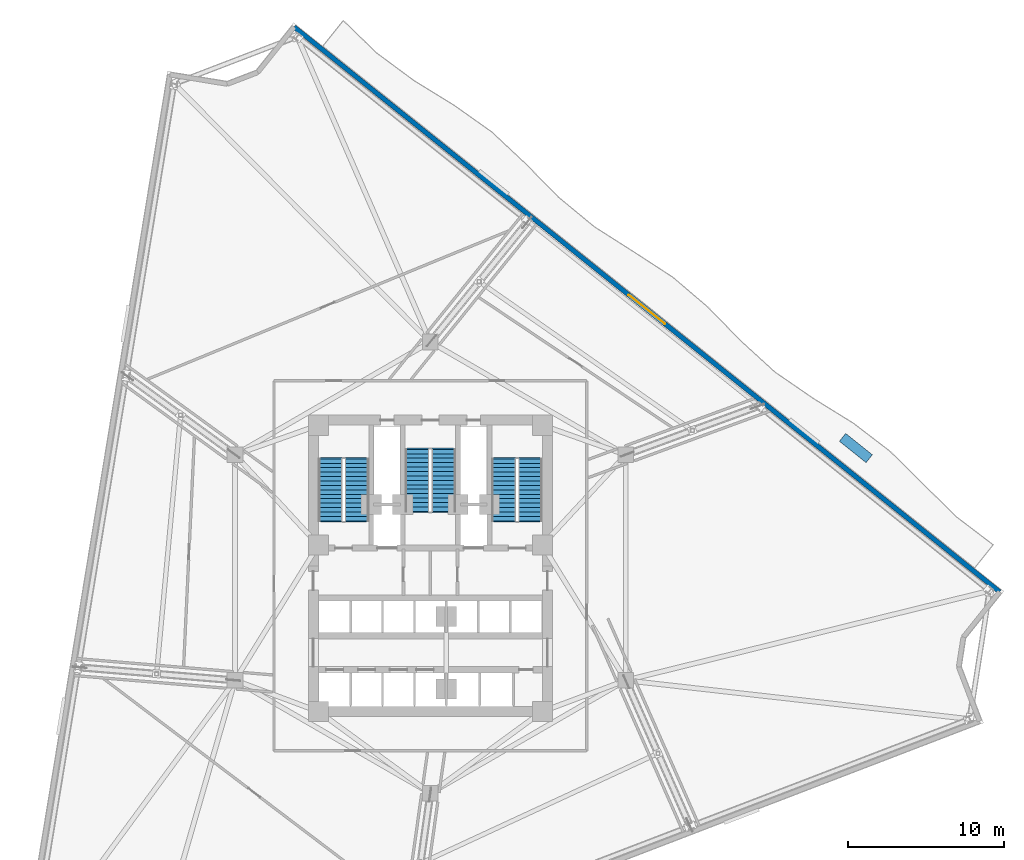
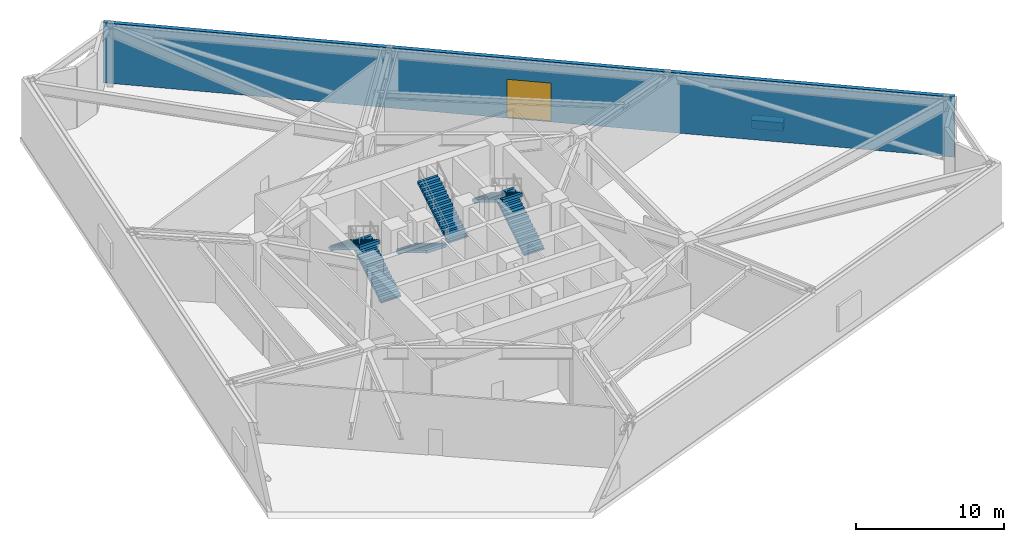
# One storey, part 15 of 18: 6 stair flights, 1 discrete accessory, 1 door, 1 wall, 1 opening, 3 elements without a shape of their own.
"""IFC4 building model written with IfcOpenShell, lengths in metres."""

from ifc_helpers import new_model, si_unit, direction, frame, frame_2d, origin, origin_2d, place, context, subcontext, project, spatial, polyline, rectangle, outline, extrude, material, layer, layer_set, type_object, element, fill, aggregate, save


model = new_model("IFC4")

# Units and contexts
model_context = context("Model", 3, precision=1e-05, world=origin(), true_north=direction((0.0, 1.0)))
body_context = subcontext(model_context, "Body", "Model", "MODEL_VIEW")
ifc_project = project(units=[si_unit("LENGTHUNIT", "METRE"), si_unit("AREAUNIT", "SQUARE_METRE"), si_unit("VOLUMEUNIT", "CUBIC_METRE"), si_unit("PLANEANGLEUNIT", "RADIAN"), si_unit("MASSUNIT", "GRAM", prefix="KILO")], contexts=[model_context])

# Site, building, storey
site_placement = place(None, origin())
site = spatial("IfcSite", under=ifc_project, at=site_placement, CompositionType="ELEMENT")
building_placement = place(site_placement, origin())
building = spatial("IfcBuilding", under=site, at=building_placement, Name="Apsidion Concourse Tower", CompositionType="ELEMENT")
storey_placement = place(building_placement, frame((0.0, 0.0, 127.0)))
storey = spatial("IfcBuildingStorey", under=building, at=storey_placement, Name="L29", CompositionType="ELEMENT", Elevation=127.0)

# Wall, opening, door
ifc_material_1 = material(Name="Precast concrete C40/50", Category="concrete")
ifc_layer = layer(ifc_material_1, 0.300048828125)
ifc_layer_set = layer_set([ifc_layer], Name="Precast concrete C40/50")
wall_type = type_object("IfcWallType", Name="WL-EXT-300", PredefinedType="STANDARD", material=ifc_layer_set)
wall_placement = place(storey_placement, frame((-8.76171875, 34.748291015625, 0.0), z_axis=(0.0, 0.0, 1.0), x_axis=(0.780669916438, -0.624943582708, 0.0)))
wall = element("IfcWall", 1, at=wall_placement, inside=storey, type_object=wall_type, Name="L29 Precast Stone Facade Wall 01", PredefinedType="STANDARD", context=body_context, shape_type="SweptSolid", body=[
    extrude(rectangle(XDim=58.093017578125, YDim=0.300048828125, at=frame_2d((29.04638671875, 0.0))), origin(), (0.0, 0.0, 1.0), 4.949951171875),
])
opening_placement = place(wall_placement, frame((27.546630859375, 0.0, 0.0)))
opening = element("IfcOpeningElement", 2, at=opening_placement, cuts=wall, Name="Opening D-SG1", PredefinedType="OPENING", context=body_context, shape_type="SweptSolid", body=[
    extrude(rectangle(XDim=3.0, YDim=3.199951171875, at=frame_2d((1.5, 1.60009765625))), frame((0.0, 0.16015625, 0.0), z_axis=(0.0, -1.0, 0.0), x_axis=(1.0, 0.0, 0.0)), (0.0, 0.0, 1.0), 0.320068359375),
])
ifc_material_2 = material(Name="Brushed stainless steel 316", Category="steel")
door_type = type_object("IfcDoorType", Name="DR-GATE-3032", OperationType="ROLLINGUP", PredefinedType="GATE", material=ifc_material_2)
door_placement = place(opening_placement, origin())
door = element("IfcDoor", 3, at=door_placement, inside=storey, type_object=door_type, Name="L29 Plant Deck Access Gate 1", OperationType="ROLLINGUP", OverallHeight=3.199951171875, OverallWidth=3.0, PredefinedType="GATE", context=body_context, shape_type="SweptSolid", body=[
    extrude(rectangle(XDim=3.0, YDim=3.199951171875, at=frame_2d((1.5, 1.60009765625))), frame((0.0, 0.02490234375, 0.0), z_axis=(0.0, -1.0, 0.0), x_axis=(1.0, 0.0, 0.0)), (0.0, 0.0, 1.0), 0.050048828125),
])
fill(opening, door)

# Stair, stair flights
stair_type = type_object("IfcStairType", Name="ST-DL-1550", PredefinedType="HALF_TURN_STAIR", material=ifc_material_1)
stair_1_placement = place(storey_placement, origin())
stair_1 = element("IfcStair", 4, at=stair_1_placement, inside=storey, type_object=stair_type, Name="L29 Protected Core Exit Stair ST1", PredefinedType="HALF_TURN_STAIR")
stair_flight_type = type_object("IfcStairFlightType", Name="SFL-RC-1550", PredefinedType="STRAIGHT", material=ifc_material_1)
stair_flight_1_placement = place(storey_placement, frame((-4.72509765625, 3.0, 0.0), z_axis=(0.0, 0.0, 1.0), x_axis=(0.0, 1.0, 0.0)))
stair_flight_1 = element("IfcStairFlight", 5, at=stair_flight_1_placement, type_object=stair_flight_type, Name="ST1 flight 1", NumberOfRisers=15, NumberOfTreads=14, PredefinedType="STRAIGHT", RiserHeight=0.173333333, TreadLength=0.285, context=body_context, shape_type="SweptSolid", body=[
    extrude(outline(polyline([(-0.080078125, -0.1123046875), (-0.080078125, 0.0), (0.0, 0.0), (0.0, 0.17333984375), (0.284912109375, 0.17333984375), (0.284912109375, 0.3466796875), (0.570068359375, 0.3466796875), (0.570068359375, 0.52001953125), (0.85498046875, 0.52001953125), (0.85498046875, 0.693359375), (1.139892578125, 0.693359375), (1.139892578125, 0.86669921875), (1.425048828125, 0.86669921875), (1.425048828125, 1.0400390625), (1.7099609375, 1.0400390625), (1.7099609375, 1.21337890625), (1.9951171875, 1.21337890625), (1.9951171875, 1.38671875), (2.280029296875, 1.38671875), (2.280029296875, 1.56005859375), (2.56494140625, 1.56005859375), (2.56494140625, 1.7333984375), (2.85009765625, 1.7333984375), (2.85009765625, 1.90673828125), (3.135009765625, 1.90673828125), (3.135009765625, 2.080078125), (3.419921875, 2.080078125), (3.419921875, 2.25341796875), (3.705078125, 2.25341796875), (3.705078125, 2.4267578125), (3.989990234375, 2.4267578125), (3.989990234375, 2.60009765625), (4.070068359375, 2.513427734375), (4.070068359375, 2.251220703125), (3.989990234375, 2.251220703125), (0.28857421875, 0.0), (0.28857421875, -0.1123046875), (-0.080078125, -0.1123046875)])), frame((0.0, 0.77490234375, 0.0), z_axis=(0.0, -1.0, 0.0), x_axis=(1.0, 0.0, 0.0)), (0.0, 0.0, 1.0), 1.550048828125),
])
stair_flight_2_placement = place(storey_placement, frame((-6.425048828125, 6.989990234375, 2.60009765625), z_axis=(0.0, 0.0, 1.0), x_axis=(0.0, -1.0, 0.0)))
stair_flight_2 = element("IfcStairFlight", 6, at=stair_flight_2_placement, type_object=stair_flight_type, Name="ST1 flight 2", NumberOfRisers=15, NumberOfTreads=14, PredefinedType="STRAIGHT", RiserHeight=0.173333333, TreadLength=0.285, context=body_context, shape_type="SweptSolid", body=[
    extrude(outline(polyline([(-0.080078125, -0.1123046875), (-0.080078125, 0.0), (0.0, 0.0), (0.0, 0.17333984375), (0.284912109375, 0.17333984375), (0.284912109375, 0.3466796875), (0.570068359375, 0.3466796875), (0.570068359375, 0.52001953125), (0.85498046875, 0.52001953125), (0.85498046875, 0.693359375), (1.139892578125, 0.693359375), (1.139892578125, 0.86669921875), (1.425048828125, 0.86669921875), (1.425048828125, 1.0400390625), (1.7099609375, 1.0400390625), (1.7099609375, 1.21337890625), (1.9951171875, 1.21337890625), (1.9951171875, 1.38671875), (2.280029296875, 1.38671875), (2.280029296875, 1.56005859375), (2.56494140625, 1.56005859375), (2.56494140625, 1.7333984375), (2.85009765625, 1.7333984375), (2.85009765625, 1.90673828125), (3.135009765625, 1.90673828125), (3.135009765625, 2.080078125), (3.419921875, 2.080078125), (3.419921875, 2.25341796875), (3.705078125, 2.25341796875), (3.705078125, 2.4267578125), (3.989990234375, 2.4267578125), (3.989990234375, 2.60009765625), (4.070068359375, 2.513427734375), (4.070068359375, 2.251220703125), (3.989990234375, 2.251220703125), (0.28857421875, 0.0), (0.28857421875, -0.1123046875), (-0.080078125, -0.1123046875)])), frame((0.0, 0.77490234375, 0.0), z_axis=(0.0, -1.0, 0.0), x_axis=(1.0, 0.0, 0.0)), (0.0, 0.0, 1.0), 1.550048828125),
])
aggregate(stair_1, [stair_flight_1, stair_flight_2])

stair_2_placement = place(storey_placement, origin())
stair_2 = element("IfcStair", 7, at=stair_2_placement, inside=storey, type_object=stair_type, Name="L29 Protected Core Exit Stair ST2", PredefinedType="HALF_TURN_STAIR")
stair_flight_3_placement = place(storey_placement, frame((6.425048828125, 3.0, 0.0), z_axis=(0.0, 0.0, 1.0), x_axis=(0.0, 1.0, 0.0)))
stair_flight_3 = element("IfcStairFlight", 8, at=stair_flight_3_placement, type_object=stair_flight_type, Name="ST2 flight 1", NumberOfRisers=15, NumberOfTreads=14, PredefinedType="STRAIGHT", RiserHeight=0.173333333, TreadLength=0.285, context=body_context, shape_type="SweptSolid", body=[
    extrude(outline(polyline([(-0.080078125, -0.1123046875), (-0.080078125, 0.0), (0.0, 0.0), (0.0, 0.17333984375), (0.284912109375, 0.17333984375), (0.284912109375, 0.3466796875), (0.570068359375, 0.3466796875), (0.570068359375, 0.52001953125), (0.85498046875, 0.52001953125), (0.85498046875, 0.693359375), (1.139892578125, 0.693359375), (1.139892578125, 0.86669921875), (1.425048828125, 0.86669921875), (1.425048828125, 1.0400390625), (1.7099609375, 1.0400390625), (1.7099609375, 1.21337890625), (1.9951171875, 1.21337890625), (1.9951171875, 1.38671875), (2.280029296875, 1.38671875), (2.280029296875, 1.56005859375), (2.56494140625, 1.56005859375), (2.56494140625, 1.7333984375), (2.85009765625, 1.7333984375), (2.85009765625, 1.90673828125), (3.135009765625, 1.90673828125), (3.135009765625, 2.080078125), (3.419921875, 2.080078125), (3.419921875, 2.25341796875), (3.705078125, 2.25341796875), (3.705078125, 2.4267578125), (3.989990234375, 2.4267578125), (3.989990234375, 2.60009765625), (4.070068359375, 2.513427734375), (4.070068359375, 2.251220703125), (3.989990234375, 2.251220703125), (0.28857421875, 0.0), (0.28857421875, -0.1123046875), (-0.080078125, -0.1123046875)])), frame((0.0, 0.77490234375, 0.0), z_axis=(0.0, -1.0, 0.0), x_axis=(1.0, 0.0, 0.0)), (0.0, 0.0, 1.0), 1.550048828125),
])
stair_flight_4_placement = place(storey_placement, frame((4.72509765625, 6.989990234375, 2.60009765625), z_axis=(0.0, 0.0, 1.0), x_axis=(0.0, -1.0, 0.0)))
stair_flight_4 = element("IfcStairFlight", 9, at=stair_flight_4_placement, type_object=stair_flight_type, Name="ST2 flight 2", NumberOfRisers=15, NumberOfTreads=14, PredefinedType="STRAIGHT", RiserHeight=0.173333333, TreadLength=0.285, context=body_context, shape_type="SweptSolid", body=[
    extrude(outline(polyline([(-0.080078125, -0.1123046875), (-0.080078125, 0.0), (0.0, 0.0), (0.0, 0.17333984375), (0.284912109375, 0.17333984375), (0.284912109375, 0.3466796875), (0.570068359375, 0.3466796875), (0.570068359375, 0.52001953125), (0.85498046875, 0.52001953125), (0.85498046875, 0.693359375), (1.139892578125, 0.693359375), (1.139892578125, 0.86669921875), (1.425048828125, 0.86669921875), (1.425048828125, 1.0400390625), (1.7099609375, 1.0400390625), (1.7099609375, 1.21337890625), (1.9951171875, 1.21337890625), (1.9951171875, 1.38671875), (2.280029296875, 1.38671875), (2.280029296875, 1.56005859375), (2.56494140625, 1.56005859375), (2.56494140625, 1.7333984375), (2.85009765625, 1.7333984375), (2.85009765625, 1.90673828125), (3.135009765625, 1.90673828125), (3.135009765625, 2.080078125), (3.419921875, 2.080078125), (3.419921875, 2.25341796875), (3.705078125, 2.25341796875), (3.705078125, 2.4267578125), (3.989990234375, 2.4267578125), (3.989990234375, 2.60009765625), (4.070068359375, 2.513427734375), (4.070068359375, 2.251220703125), (3.989990234375, 2.251220703125), (0.28857421875, 0.0), (0.28857421875, -0.1123046875), (-0.080078125, -0.1123046875)])), frame((0.0, 0.77490234375, 0.0), z_axis=(0.0, -1.0, 0.0), x_axis=(1.0, 0.0, 0.0)), (0.0, 0.0, 1.0), 1.550048828125),
])
aggregate(stair_2, [stair_flight_3, stair_flight_4])

stair_3_placement = place(storey_placement, origin())
stair_3 = element("IfcStair", 10, at=stair_3_placement, inside=storey, type_object=stair_type, Name="L29 Protected Core Exit Stair ST3", PredefinedType="HALF_TURN_STAIR")
stair_flight_5_placement = place(storey_placement, frame((-0.85009765625, 7.60009765625, 0.0), z_axis=(0.0, 0.0, 1.0), x_axis=(0.0, -1.0, 0.0)))
stair_flight_5 = element("IfcStairFlight", 11, at=stair_flight_5_placement, type_object=stair_flight_type, Name="ST3 flight 1", NumberOfRisers=15, NumberOfTreads=14, PredefinedType="STRAIGHT", RiserHeight=0.173333333, TreadLength=0.285, context=body_context, shape_type="SweptSolid", body=[
    extrude(outline(polyline([(-0.080078125, -0.1123046875), (-0.080078125, 0.0), (0.0, 0.0), (0.0, 0.17333984375), (0.284912109375, 0.17333984375), (0.284912109375, 0.3466796875), (0.570068359375, 0.3466796875), (0.570068359375, 0.52001953125), (0.85498046875, 0.52001953125), (0.85498046875, 0.693359375), (1.139892578125, 0.693359375), (1.139892578125, 0.86669921875), (1.425048828125, 0.86669921875), (1.425048828125, 1.0400390625), (1.7099609375, 1.0400390625), (1.7099609375, 1.21337890625), (1.9951171875, 1.21337890625), (1.9951171875, 1.38671875), (2.280029296875, 1.38671875), (2.280029296875, 1.56005859375), (2.56494140625, 1.56005859375), (2.56494140625, 1.7333984375), (2.85009765625, 1.7333984375), (2.85009765625, 1.90673828125), (3.135009765625, 1.90673828125), (3.135009765625, 2.080078125), (3.419921875, 2.080078125), (3.419921875, 2.25341796875), (3.705078125, 2.25341796875), (3.705078125, 2.4267578125), (3.989990234375, 2.4267578125), (3.989990234375, 2.60009765625), (4.070068359375, 2.513427734375), (4.070068359375, 2.251220703125), (3.989990234375, 2.251220703125), (0.28857421875, 0.0), (0.28857421875, -0.1123046875), (-0.080078125, -0.1123046875)])), frame((0.0, 0.77490234375, 0.0), z_axis=(0.0, -1.0, 0.0), x_axis=(1.0, 0.0, 0.0)), (0.0, 0.0, 1.0), 1.550048828125),
])
stair_flight_6_placement = place(storey_placement, frame((0.85009765625, 3.610107421875, 2.60009765625), z_axis=(0.0, 0.0, 1.0), x_axis=(0.0, 1.0, 0.0)))
stair_flight_6 = element("IfcStairFlight", 12, at=stair_flight_6_placement, type_object=stair_flight_type, Name="ST3 flight 2", NumberOfRisers=15, NumberOfTreads=14, PredefinedType="STRAIGHT", RiserHeight=0.173333333, TreadLength=0.285, context=body_context, shape_type="SweptSolid", body=[
    extrude(outline(polyline([(-0.080078125, -0.1123046875), (-0.080078125, 0.0), (0.0, 0.0), (0.0, 0.17333984375), (0.284912109375, 0.17333984375), (0.284912109375, 0.3466796875), (0.570068359375, 0.3466796875), (0.570068359375, 0.52001953125), (0.85498046875, 0.52001953125), (0.85498046875, 0.693359375), (1.139892578125, 0.693359375), (1.139892578125, 0.86669921875), (1.425048828125, 0.86669921875), (1.425048828125, 1.0400390625), (1.7099609375, 1.0400390625), (1.7099609375, 1.21337890625), (1.9951171875, 1.21337890625), (1.9951171875, 1.38671875), (2.280029296875, 1.38671875), (2.280029296875, 1.56005859375), (2.56494140625, 1.56005859375), (2.56494140625, 1.7333984375), (2.85009765625, 1.7333984375), (2.85009765625, 1.90673828125), (3.135009765625, 1.90673828125), (3.135009765625, 2.080078125), (3.419921875, 2.080078125), (3.419921875, 2.25341796875), (3.705078125, 2.25341796875), (3.705078125, 2.4267578125), (3.989990234375, 2.4267578125), (3.989990234375, 2.60009765625), (4.070068359375, 2.513427734375), (4.070068359375, 2.251220703125), (3.989990234375, 2.251220703125), (0.28857421875, 0.0), (0.28857421875, -0.1123046875), (-0.080078125, -0.1123046875)])), frame((0.0, 0.77490234375, 0.0), z_axis=(0.0, -1.0, 0.0), x_axis=(1.0, 0.0, 0.0)), (0.0, 0.0, 1.0), 1.550048828125),
])
aggregate(stair_3, [stair_flight_5, stair_flight_6])

# Discrete accessory
discrete_accessory_type = type_object("IfcDiscreteAccessoryType", Name="ACC-PLANTER-90", PredefinedType="USERDEFINED", material=ifc_material_1)
discrete_accessory_placement = place(storey_placement, frame((27.349853515625, 7.68310546875, 0.0), z_axis=(0.0, 0.0, 1.0), x_axis=(-0.780648610647, 0.624970196645, 0.0)))
element("IfcDiscreteAccessory", 13, at=discrete_accessory_placement, inside=storey, type_object=discrete_accessory_type, Name="L29 Spiral Sky-Terrace Planter 3", ObjectType="PLANTER", PredefinedType="USERDEFINED", context=body_context, shape_type="SweptSolid", body=[
    extrude(rectangle(XDim=2.199951171875, YDim=0.64990234375, at=origin_2d()), origin(), (0.0, 0.0, 1.0), 0.699951171875),
])

save(model, "model.ifc")
